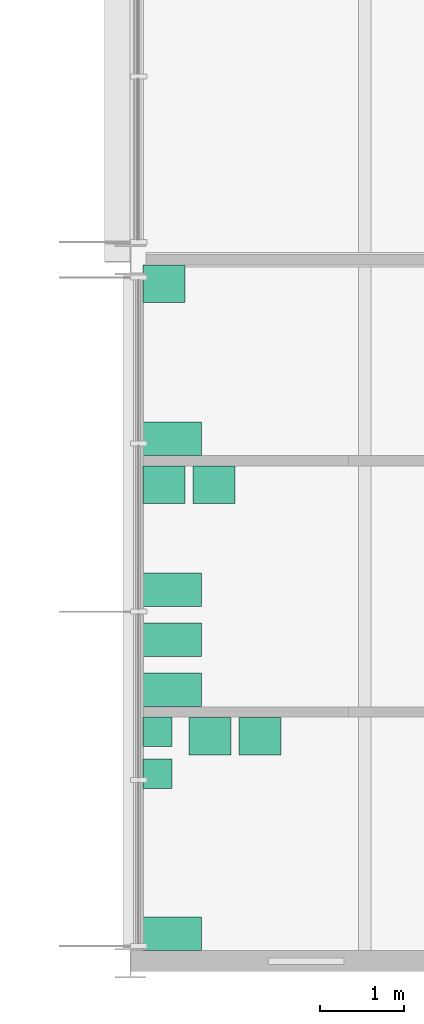
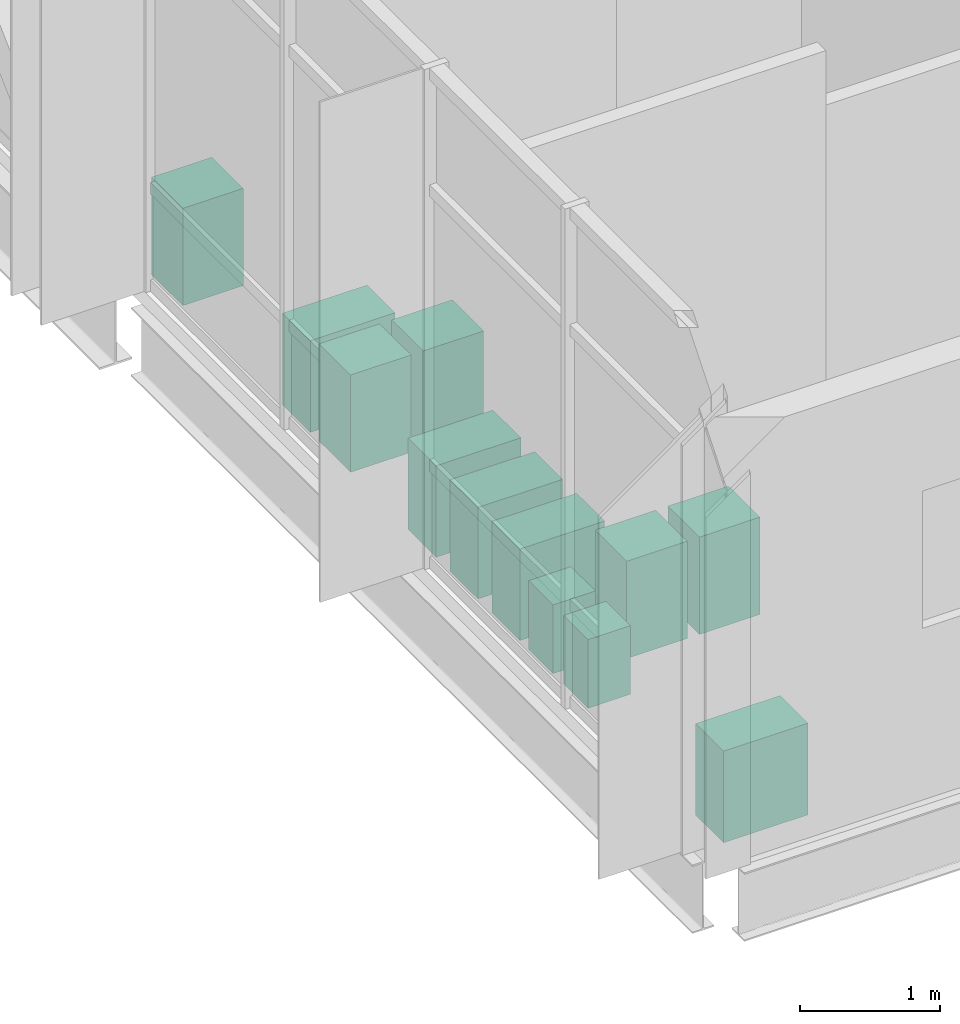
# One storey, part 14 of 14: 12 sanitary terminals.
"""IFC4 building model written with IfcOpenShell, lengths in metres."""

from ifc_helpers import new_model, si_unit, direction, frame, origin, origin_2d, place, context, subcontext, project, spatial, rectangle, extrude, element, save


model = new_model("IFC4")

# Units and contexts
model_context = context("Model", 3, precision=1e-05, world=origin(), true_north=direction((0.0, 1.0)))
body_context = subcontext(model_context, "Body", "Model", "MODEL_VIEW")
ifc_project = project(units=[si_unit("LENGTHUNIT", "METRE"), si_unit("AREAUNIT", "SQUARE_METRE"), si_unit("VOLUMEUNIT", "CUBIC_METRE"), si_unit("PLANEANGLEUNIT", "RADIAN"), si_unit("MASSUNIT", "GRAM", prefix="KILO")], contexts=[model_context])

# Site, building, storey
site_placement = place(None, origin())
site = spatial("IfcSite", under=ifc_project, at=site_placement, CompositionType="ELEMENT")
building_placement = place(site_placement, origin())
building = spatial("IfcBuilding", under=site, at=building_placement, Name="Hlaing Beacon Police Headquarters", CompositionType="ELEMENT")
storey_placement = place(building_placement, frame((0.0, 0.0, 27.89990234375)))
storey = spatial("IfcBuildingStorey", under=building, at=storey_placement, Name="L06", CompositionType="ELEMENT", Elevation=27.89990234375)

# Sanitary terminals
sanitary_terminal_1_placement = place(storey_placement, frame((101.300048828125, 39.863037109375, 0.0), z_axis=(0.0, 0.0, 1.0), x_axis=(1.0, 0.0, 0.0)))
element("IfcSanitaryTerminal", 1, at=sanitary_terminal_1_placement, inside=storey, Name="Water closet", PredefinedType="TOILETPAN", context=body_context, shape_type="SweptSolid", body=[
    extrude(rectangle(XDim=0.699951171875, YDim=0.39990234375, at=origin_2d()), origin(), (0.0, 0.0, 1.0), 0.800048828125),
])
sanitary_terminal_2_placement = place(storey_placement, frame((101.199951171875, 41.712890625, 0.0), z_axis=(0.0, 0.0, 1.0), x_axis=(1.0, 0.0, 0.0)))
element("IfcSanitaryTerminal", 2, at=sanitary_terminal_2_placement, inside=storey, Name="Wash basin", PredefinedType="WASHHANDBASIN", context=body_context, shape_type="SweptSolid", body=[
    extrude(rectangle(XDim=0.5, YDim=0.449951171875, at=origin_2d()), origin(), (0.0, 0.0, 1.0), 0.85009765625),
])
for number, where, z_axis, x_axis, name in (
    (3, (101.300048828125, 36.863037109375, 0.0), (0.0, 0.0, 1.0), (1.0, 0.0, 0.0), "Water closet"),
    (4, (101.300048828125, 37.462890625, 0.0), (0.0, 0.0, 1.0), (1.0, 0.0, 0.0), "Water closet"),
    (5, (101.300048828125, 38.06201171875, 0.0), (0.0, 0.0, 1.0), (1.0, 0.0, 0.0), "Water closet"),
):
    element("IfcSanitaryTerminal", number, at=place(storey_placement, frame(where, z_axis=z_axis, x_axis=x_axis)), inside=storey, Name=name, PredefinedType="TOILETPAN", context=body_context, shape_type="SweptSolid", body=[
        extrude(rectangle(XDim=0.699951171875, YDim=0.39990234375, at=origin_2d()), origin(), (0.0, 0.0, 1.0), 0.800048828125),
    ])
for number, where, z_axis, x_axis, name in (
    (6, (101.199951171875, 39.31201171875, 0.0), (0.0, 0.0, 1.0), (1.0, 0.0, 0.0), "Wash basin"),
    (7, (101.800048828125, 39.31201171875, 0.0), (0.0, 0.0, 1.0), (1.0, 0.0, 0.0), "Wash basin"),
):
    element("IfcSanitaryTerminal", number, at=place(storey_placement, frame(where, z_axis=z_axis, x_axis=x_axis)), inside=storey, Name=name, PredefinedType="WASHHANDBASIN", context=body_context, shape_type="SweptSolid", body=[
        extrude(rectangle(XDim=0.5, YDim=0.449951171875, at=origin_2d()), origin(), (0.0, 0.0, 1.0), 0.85009765625),
    ])
sanitary_terminal_3_placement = place(storey_placement, frame((101.300048828125, 33.949951171875, 0.0), z_axis=(0.0, 0.0, 1.0), x_axis=(1.0, 0.0, 0.0)))
element("IfcSanitaryTerminal", 8, at=sanitary_terminal_3_placement, inside=storey, Name="Water closet", PredefinedType="TOILETPAN", context=body_context, shape_type="SweptSolid", body=[
    extrude(rectangle(XDim=0.699951171875, YDim=0.39990234375, at=origin_2d()), origin(), (0.0, 0.0, 1.0), 0.800048828125),
])
for number, where, z_axis, x_axis, name in (
    (9, (101.125, 36.363037109375, 0.0), (0.0, 0.0, 1.0), (1.0, 0.0, 0.0), "Urinal"),
    (10, (101.125, 35.863037109375, 0.0), (0.0, 0.0, 1.0), (1.0, 0.0, 0.0), "Urinal"),
):
    element("IfcSanitaryTerminal", number, at=place(storey_placement, frame(where, z_axis=z_axis, x_axis=x_axis)), inside=storey, Name=name, PredefinedType="URINAL", context=body_context, shape_type="SweptSolid", body=[
        extrude(rectangle(XDim=0.35009765625, YDim=0.35009765625, at=origin_2d()), origin(), (0.0, 0.0, 1.0), 0.60009765625),
    ])
for number, where, z_axis, x_axis, name in (
    (11, (101.75, 36.31201171875, 0.0), (0.0, 0.0, 1.0), (1.0, 0.0, 0.0), "Wash basin"),
    (12, (102.35009765625, 36.31201171875, 0.0), (0.0, 0.0, 1.0), (1.0, 0.0, 0.0), "Wash basin"),
):
    element("IfcSanitaryTerminal", number, at=place(storey_placement, frame(where, z_axis=z_axis, x_axis=x_axis)), inside=storey, Name=name, PredefinedType="WASHHANDBASIN", context=body_context, shape_type="SweptSolid", body=[
        extrude(rectangle(XDim=0.5, YDim=0.449951171875, at=origin_2d()), origin(), (0.0, 0.0, 1.0), 0.85009765625),
    ])

save(model, "model.ifc")
